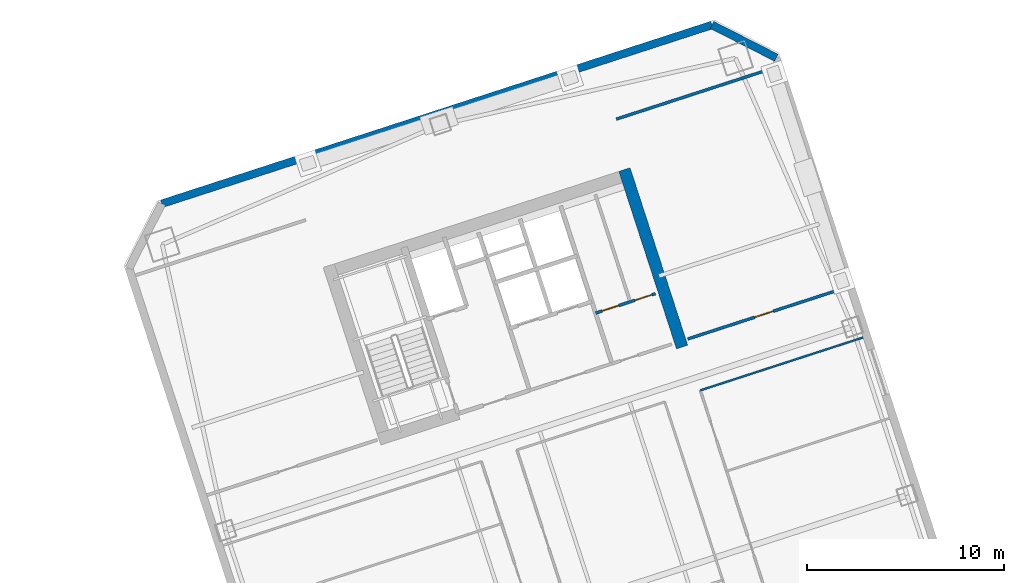
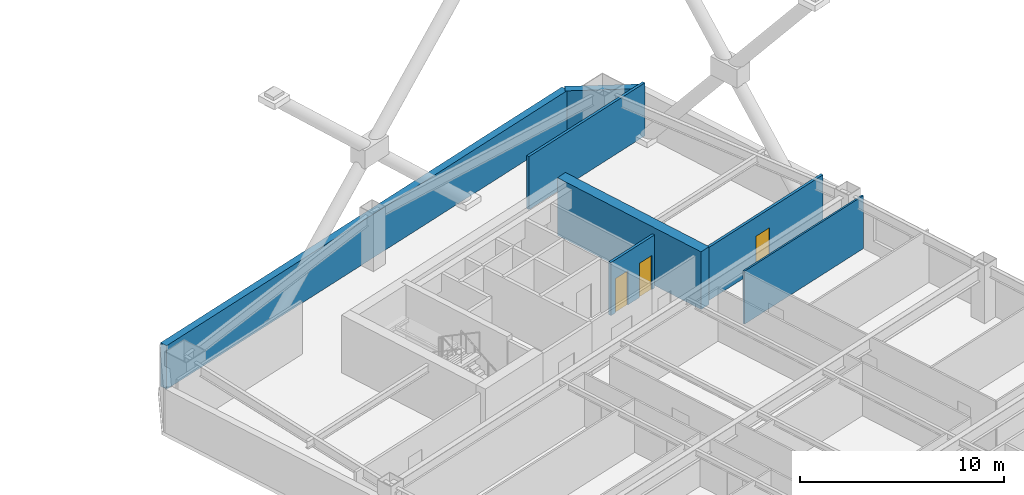
# One storey, part 9 of 12: 7 walls, 3 doors, 3 openings.
"""IFC4 building model written with IfcOpenShell, lengths in metres."""

from ifc_helpers import new_model, si_unit, direction, frame, frame_2d, origin, place, context, subcontext, project, spatial, rectangle, extrude, material, layer, layer_set, type_object, element, fill, save


model = new_model("IFC4")

# Units and contexts
model_context = context("Model", 3, precision=1e-05, world=origin(), true_north=direction((0.0, 1.0)))
body_context = subcontext(model_context, "Body", "Model", "MODEL_VIEW")
ifc_project = project(units=[si_unit("LENGTHUNIT", "METRE"), si_unit("AREAUNIT", "SQUARE_METRE"), si_unit("VOLUMEUNIT", "CUBIC_METRE"), si_unit("PLANEANGLEUNIT", "RADIAN"), si_unit("MASSUNIT", "GRAM", prefix="KILO")], contexts=[model_context])

# Site, building, storey
site_placement = place(None, origin())
site = spatial("IfcSite", under=ifc_project, at=site_placement, CompositionType="ELEMENT")
building_placement = place(site_placement, origin())
building = spatial("IfcBuilding", under=site, at=building_placement, Name="Qiaolan Cultural Towers", CompositionType="ELEMENT")
storey_placement = place(building_placement, frame((0.0, 0.0, 106.949951171875)))
storey = spatial("IfcBuildingStorey", under=building, at=storey_placement, Name="L27", CompositionType="ELEMENT", Elevation=106.949951171875)

# Walls
ifc_material_1 = material(Name="Concrete C55", Category="concrete")
ifc_layer_1 = layer(ifc_material_1, 0.60009765625)
ifc_layer_set_1 = layer_set([ifc_layer_1], Name="Concrete C55")
wall_type_1 = type_object("IfcWallType", Name="WL-CORE-600", PredefinedType="SHEAR", material=ifc_layer_set_1)
wall_1_placement = place(storey_placement, frame((94.4921875, 46.710205078125, 0.0), z_axis=(0.0, 0.0, 1.0), x_axis=(-0.309010370028, 0.95105866865, 0.0)))
element("IfcWall", 1, at=wall_1_placement, inside=storey, type_object=wall_type_1, Name="L27 T2-CN East Core Shear Wall", PredefinedType="SHEAR", context=body_context, shape_type="SweptSolid", body=[
    extrude(rectangle(XDim=9.47998046875, YDim=0.60009765625, at=frame_2d((4.739990234375, 0.0))), origin(), (0.0, 0.0, 1.0), 3.449951171875),
])
ifc_material_2 = material(Name="Precast Concrete C50 Honed Stone Pier", Category="masonry")
ifc_layer_2 = layer(ifc_material_2, 0.39990234375)
ifc_layer_set_2 = layer_set([ifc_layer_2], Name="Precast Concrete C50 Honed Stone Pier")
wall_type_2 = type_object("IfcWallType", Name="WL-EXT-PIER-400", PredefinedType="SOLIDWALL", material=ifc_layer_set_2)
wall_2_placement = place(storey_placement, frame((68.046875, 53.99462890625, 0.0), z_axis=(0.0, 0.0, 1.0), x_axis=(0.95105505922, 0.309021478754, 0.0)))
element("IfcWall", 2, at=wall_2_placement, inside=storey, type_object=wall_type_2, Name="L27 East Tower Precast Pier Facade Wall F3", PredefinedType="SOLIDWALL", context=body_context, shape_type="SweptSolid", body=[
    extrude(rectangle(XDim=29.39990234375, YDim=0.39990234375, at=frame_2d((14.699951171875, 0.0))), origin(), (0.0, 0.0, 1.0), 2.610107421875),
])
wall_3_placement = place(storey_placement, frame((96.0078125, 63.079833984375, 0.0), z_axis=(0.0, 0.0, 1.0), x_axis=(0.891001999643, -0.45399937955, 0.0)))
element("IfcWall", 3, at=wall_3_placement, inside=storey, type_object=wall_type_2, Name="L27 East Tower Precast Pier Facade Wall F4", PredefinedType="SOLIDWALL", context=body_context, shape_type="SweptSolid", body=[
    extrude(rectangle(XDim=3.67724609375, YDim=0.39990234375, at=frame_2d((1.838623046875, 0.0))), origin(), (0.0, 0.0, 1.0), 2.610107421875),
])
ifc_material_3 = material(Name="Acoustic Double-Glazed Partition Frame", Category="glass")
ifc_layer_3 = layer(ifc_material_3, 0.10009765625)
ifc_layer_set_3 = layer_set([ifc_layer_3], Name="Acoustic Double-Glazed Partition Frame")
wall_type_3 = type_object("IfcWallType", Name="WL-GLAZED-100", PredefinedType="MOVABLE", material=ifc_layer_set_3)
wall_4_placement = place(storey_placement, frame((95.41796875, 44.508544921875, 0.0), z_axis=(0.0, 0.0, 1.0), x_axis=(0.951055307445, 0.309020714809, 0.0)))
element("IfcWall", 4, at=wall_4_placement, inside=storey, type_object=wall_type_3, Name="L27 T2 Interior Wall", PredefinedType="MOVABLE", context=body_context, shape_type="SweptSolid", body=[
    extrude(rectangle(XDim=8.699951171875, YDim=0.10009765625, at=frame_2d((4.35009765625, 0.0))), origin(), (0.0, 0.0, 1.0), 3.175048828125),
])

# Wall, openings, doors
ifc_material_4 = material(Name="Autoclaved Aerated Concrete Block B06", Category="concrete")
ifc_layer_4 = layer(ifc_material_4, 0.14990234375)
ifc_layer_set_4 = layer_set([ifc_layer_4], Name="Autoclaved Aerated Concrete Block B06")
wall_type_4 = type_object("IfcWallType", Name="WL-PART-150", PredefinedType="PARTITIONING", material=ifc_layer_set_4)
wall_5_placement = place(storey_placement, frame((90.09375, 48.435546875, 0.0), z_axis=(0.0, 0.0, 1.0), x_axis=(0.951066581729, 0.308986014439, 0.0)))
wall_5 = element("IfcWall", 5, at=wall_5_placement, inside=storey, type_object=wall_type_4, Name="L27 T2-CN Restroom Vestibule Wall", PredefinedType="PARTITIONING", context=body_context, shape_type="SweptSolid", body=[
    extrude(rectangle(XDim=3.199951171875, YDim=0.14990234375, at=frame_2d((1.60009765625, 0.0))), origin(), (0.0, 0.0, 1.0), 3.175048828125),
])
opening_1_placement = place(wall_5_placement, frame((0.35009765625, 0.0, 0.0)))
opening_1 = element("IfcOpeningElement", 6, at=opening_1_placement, cuts=wall_5, Name="Opening ID-06", PredefinedType="OPENING", context=body_context, shape_type="SweptSolid", body=[
    extrude(rectangle(XDim=0.89990234375, YDim=2.050048828125, at=frame_2d((0.449951171875, 1.02490234375))), frame((0.0, 0.0849609375, 0.0), z_axis=(0.0, -1.0, 0.0), x_axis=(1.0, 0.0, 0.0)), (0.0, 0.0, 1.0), 0.169921875),
])
opening_2_placement = place(wall_5_placement, frame((2.10009765625, 0.0, 0.0)))
opening_2 = element("IfcOpeningElement", 7, at=opening_2_placement, cuts=wall_5, Name="Opening ID-06", PredefinedType="OPENING", context=body_context, shape_type="SweptSolid", body=[
    extrude(rectangle(XDim=0.89990234375, YDim=2.050048828125, at=frame_2d((0.449951171875, 1.02490234375))), frame((0.0, 0.0849609375, 0.0), z_axis=(0.0, -1.0, 0.0), x_axis=(1.0, 0.0, 0.0)), (0.0, 0.0, 1.0), 0.169921875),
])
ifc_material_5 = material(Name="Fire-Rated Laminate Core Service Door", Category="timber")
door_type_1 = type_object("IfcDoorType", Name="DR-INT-900", OperationType="NOTDEFINED", PredefinedType="DOOR", material=ifc_material_5)
door_1_placement = place(opening_1_placement, origin())
door_1 = element("IfcDoor", 8, at=door_1_placement, inside=storey, type_object=door_type_1, Name="L27 Men Restroom Door", OperationType="SINGLE_SWING_LEFT", OverallHeight=2.050048828125, OverallWidth=0.89990234375, PredefinedType="DOOR", context=body_context, shape_type="SweptSolid", body=[
    extrude(rectangle(XDim=0.89990234375, YDim=2.050048828125, at=frame_2d((0.449951171875, 1.02490234375))), frame((0.0, 0.02490234375, 0.0), z_axis=(0.0, -1.0, 0.0), x_axis=(1.0, 0.0, 0.0)), (0.0, 0.0, 1.0), 0.050048828125),
])
fill(opening_1, door_1)
door_2_placement = place(opening_2_placement, origin())
door_2 = element("IfcDoor", 9, at=door_2_placement, inside=storey, type_object=door_type_1, Name="L27 Accessible & Women Restroom Door", OperationType="SINGLE_SWING_RIGHT", OverallHeight=2.050048828125, OverallWidth=0.89990234375, PredefinedType="DOOR", context=body_context, shape_type="SweptSolid", body=[
    extrude(rectangle(XDim=0.89990234375, YDim=2.050048828125, at=frame_2d((0.449951171875, 1.02490234375))), frame((0.0, 0.02490234375, 0.0), z_axis=(0.0, -1.0, 0.0), x_axis=(1.0, 0.0, 0.0)), (0.0, 0.0, 1.0), 0.050048828125),
])
fill(opening_2, door_2)

# Wall
wall_6_placement = place(storey_placement, frame((91.14892578125, 58.294189453125, 0.0), z_axis=(0.0, 0.0, 1.0), x_axis=(0.951062770994, 0.308997743729, 0.0)))
element("IfcWall", 10, at=wall_6_placement, inside=storey, type_object=wall_type_4, Name="L27 T2 Flank Wall FLK-NE", PredefinedType="PARTITIONING", context=body_context, shape_type="SweptSolid", body=[
    extrude(rectangle(XDim=8.5, YDim=0.14990234375, at=frame_2d((4.25, 0.0))), origin(), (0.0, 0.0, 1.0), 3.175048828125),
])

# Wall, opening, door
wall_7_placement = place(storey_placement, frame((94.77978515625, 47.119140625, 0.0), z_axis=(0.0, 0.0, 1.0), x_axis=(0.951054329824, 0.309023723562, 0.0)))
wall_7 = element("IfcWall", 11, at=wall_7_placement, inside=storey, type_object=wall_type_4, Name="L27 T2 Flank Front FLK-NE", PredefinedType="PARTITIONING", context=body_context, shape_type="SweptSolid", body=[
    extrude(rectangle(XDim=8.5, YDim=0.14990234375, at=frame_2d((4.25, 0.0))), origin(), (0.0, 0.0, 1.0), 3.175048828125),
])
opening_3_placement = place(wall_7_placement, frame((3.570068359375, 0.0, 0.0)))
opening_3 = element("IfcOpeningElement", 12, at=opening_3_placement, cuts=wall_7, Name="Opening ID-04", PredefinedType="OPENING", context=body_context, shape_type="SweptSolid", body=[
    extrude(rectangle(XDim=1.0, YDim=2.050048828125, at=frame_2d((0.5, 1.02490234375))), frame((0.0, 0.0849609375, 0.0), z_axis=(0.0, -1.0, 0.0), x_axis=(1.0, 0.0, 0.0)), (0.0, 0.0, 1.0), 0.169921875),
])
ifc_material_6 = material(Name="Oak Veneer Acoustic Office Door", Category="timber")
door_type_2 = type_object("IfcDoorType", Name="DR-INT-1000", OperationType="NOTDEFINED", PredefinedType="DOOR", material=ifc_material_6)
door_3_placement = place(opening_3_placement, origin())
door_3 = element("IfcDoor", 13, at=door_3_placement, inside=storey, type_object=door_type_2, Name="L27 T2 Corner Studio Door", OperationType="SINGLE_SWING_LEFT", OverallHeight=2.050048828125, OverallWidth=1.0, PredefinedType="DOOR", context=body_context, shape_type="SweptSolid", body=[
    extrude(rectangle(XDim=1.0, YDim=2.050048828125, at=frame_2d((0.5, 1.02490234375))), frame((0.0, 0.02490234375, 0.0), z_axis=(0.0, -1.0, 0.0), x_axis=(1.0, 0.0, 0.0)), (0.0, 0.0, 1.0), 0.050048828125),
])
fill(opening_3, door_3)

save(model, "model.ifc")
